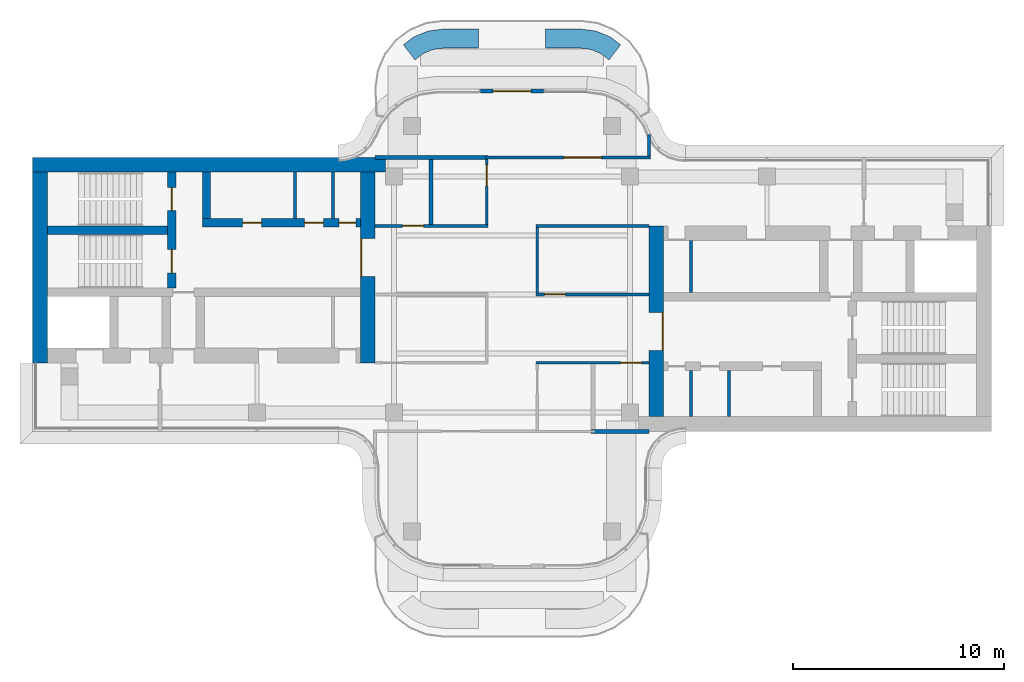
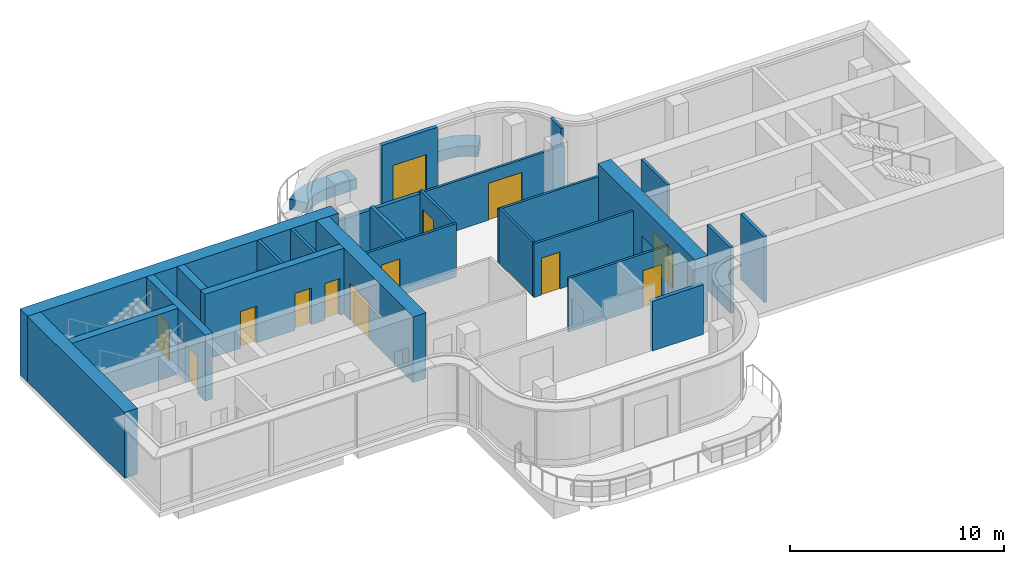
# One storey, part 7 of 9: 27 walls, 13 doors, 13 openings.
"""IFC4 building model written with IfcOpenShell, lengths in metres."""

from ifc_helpers import new_model, si_unit, direction, frame, frame_2d, origin, place, context, subcontext, project, spatial, polyline, rectangle, outline, extrude, source, transform, mapped, material, layer, layer_set, type_object, element, fill, save


model = new_model("IFC4")

# Units and contexts
model_context = context("Model", 3, precision=1e-05, world=origin(), true_north=direction((0.0, 1.0)))
body_context = subcontext(model_context, "Body", "Model", "MODEL_VIEW")
ifc_project = project(units=[si_unit("LENGTHUNIT", "METRE"), si_unit("AREAUNIT", "SQUARE_METRE"), si_unit("VOLUMEUNIT", "CUBIC_METRE"), si_unit("PLANEANGLEUNIT", "RADIAN"), si_unit("MASSUNIT", "GRAM", prefix="KILO")], contexts=[model_context])

# Site, building, storey
site_placement = place(None, origin())
site = spatial("IfcSite", under=ifc_project, at=site_placement, CompositionType="ELEMENT")
building_placement = place(site_placement, origin())
building = spatial("IfcBuilding", under=site, at=building_placement, Name="Trellis Farm Tower", CompositionType="ELEMENT")
storey_placement = place(building_placement, frame((0.0, 0.0, 354.10009765625)))
storey = spatial("IfcBuildingStorey", under=building, at=storey_placement, Name="L80", CompositionType="ELEMENT", Elevation=354.10009765625)

# Walls
ifc_material_1 = material(Name="Lightweight blockwork, plastered", Category="masonry")
ifc_layer_1 = layer(ifc_material_1, 0.199951171875)
ifc_layer_set_1 = layer_set([ifc_layer_1], Name="BLOCK WALL 200 EI 120")
wall_type_1 = type_object("IfcWallType", Name="BLOCK WALL 200 EI 120", PredefinedType="PARTITIONING", material=ifc_layer_set_1)
wall_1_placement = place(storey_placement, frame((3.75, -6.5, 0.0), z_axis=(0.0, 0.0, 1.0), x_axis=(1.0, 0.0, 0.0)))
element("IfcWall", 1, at=wall_1_placement, inside=storey, type_object=wall_type_1, Name="Partition PW3", PredefinedType="PARTITIONING", context=body_context, shape_type="SweptSolid", body=[
    extrude(rectangle(XDim=2.75, YDim=0.199951171875, at=frame_2d((1.375, 0.0))), origin(), (0.0, 0.0, 1.0), 2.829833984375),
])
ifc_material_2 = material(Name="Plasterboard on steel studs, mineral wool", Category="steel")
ifc_layer_2 = layer(ifc_material_2, 0.125)
ifc_layer_set_2 = layer_set([ifc_layer_2], Name="PARTITION 125 STUD EI 60")
wall_type_2 = type_object("IfcWallType", Name="PARTITION 125 STUD EI 60", PredefinedType="PARTITIONING", material=ifc_layer_set_2)
wall_2_placement = place(storey_placement, frame((6.5, 6.5625, 0.0), z_axis=(0.0, 0.0, 1.0), x_axis=(0.0, 1.0, 0.0)))
element("IfcWall", 2, at=wall_2_placement, inside=storey, type_object=wall_type_2, Name="Partition PW1", PredefinedType="PARTITIONING", context=body_context, shape_type="SweptSolid", body=[
    extrude(rectangle(XDim=1.016845703125, YDim=0.125, at=frame_2d((0.50830078125, 0.0))), origin(), (0.0, 0.0, 1.0), 3.75),
])
ifc_material_3 = material(Name="Sandstone faced masonry planter", Category="masonry")
ifc_layer_3 = layer(ifc_material_3, 0.89990234375)
ifc_layer_set_3 = layer_set([ifc_layer_3], Name="TERRACE PLANTER BED 900")
wall_type_3 = type_object("IfcWallType", Name="TERRACE PLANTER BED 900", PredefinedType="USERDEFINED", material=ifc_layer_set_3)
placement = place(storey_placement, origin())
element("IfcWall", 3, at=placement, inside=storey, type_object=wall_type_3, Name="PLANTER bed", ObjectType="PLANTER", PredefinedType="USERDEFINED", context=body_context, shape_type="SweptSolid", body=[
    extrude(outline(polyline([(-3.98681640625, 12.49951171875), (-3.223876953125, 12.60009765625), (-1.60009765625, 12.60009765625), (-1.60009765625, 11.699951171875), (-3.164794921875, 11.699951171875), (-3.751708984375, 11.622802734375), (-4.219482421875, 11.428955078125), (-4.6044921875, 11.133544921875), (-5.152587890625, 11.847412109375), (-4.67333984375, 12.215087890625), (-3.98681640625, 12.49951171875)])), origin(), (0.0, 0.0, 1.0), 0.599853515625),
])
element("IfcWall", 4, at=placement, inside=storey, type_object=wall_type_3, Name="PLANTER bed", ObjectType="PLANTER", PredefinedType="USERDEFINED", context=body_context, shape_type="SweptSolid", body=[
    extrude(outline(polyline([(3.98681640625, 12.49951171875), (4.67333984375, 12.215087890625), (5.152587890625, 11.847412109375), (4.6044921875, 11.133544921875), (4.219482421875, 11.428955078125), (3.751708984375, 11.622802734375), (3.164794921875, 11.699951171875), (1.60009765625, 11.699951171875), (1.60009765625, 12.60009765625), (3.223876953125, 12.60009765625), (3.98681640625, 12.49951171875)])), origin(), (0.0, 0.0, 1.0), 0.599853515625),
])

# Wall, opening, door
ifc_material_4 = material(Name="Concrete C50/60", Category="concrete")
ifc_layer_4 = layer(ifc_material_4, 0.699951171875)
ifc_layer_set_4 = layer_set([ifc_layer_4], Name="CORE OUTER WALL 700 CONCRETE C50/60")
wall_type_4 = type_object("IfcWallType", Name="CORE OUTER WALL 700 CONCRETE C50/60", PredefinedType="SHEAR", material=ifc_layer_set_4)
shared_shape_1 = source(origin(), body_context, "Body", "SweptSolid", [
    extrude(rectangle(XDim=9.050048828125, YDim=0.699951171875, at=frame_2d((4.52490234375, 0.0))), origin(), (0.0, 0.0, 1.0), 3.75),
])
wall_5_placement = place(storey_placement, frame((6.85009765625, -5.800048828125, 0.0), z_axis=(0.0, 0.0, 1.0), x_axis=(0.0, 1.0, 0.0)))
wall_5 = element("IfcWall", 5, at=wall_5_placement, inside=storey, type_object=wall_type_4, Name="Core wall", PredefinedType="SHEAR", context=body_context, shape_type="MappedRepresentation", body=[
    mapped(shared_shape_1, transform((0.0, 0.0, 0.0))),
])
shared_shape_2 = source(origin(), body_context, "Body", "SweptSolid", [
    extrude(rectangle(XDim=1.800048828125, YDim=2.10009765625, at=frame_2d((0.89990234375, 1.050048828125))), frame((0.0, 0.360107421875, 0.0), z_axis=(0.0, -1.0, 0.0), x_axis=(1.0, 0.0, 0.0)), (0.0, 0.0, 1.0), 0.72021484375),
])
opening_1_placement = place(wall_5_placement, frame((3.14990234375, 0.0, 0.0)))
opening_1 = element("IfcOpeningElement", 6, at=opening_1_placement, cuts=wall_5, Name="Opening DC1", PredefinedType="OPENING", context=body_context, shape_type="MappedRepresentation", body=[
    mapped(shared_shape_2, transform((0.0, 0.0, 0.0))),
])
ifc_material_5 = material(Name="Steel", Category="steel")
door_type_1 = type_object("IfcDoorType", Name="CORE FIRE DOOR DOUBLE 1800 X 2100", OperationType="DOUBLE_DOOR_SINGLE_SWING", PredefinedType="DOOR", material=ifc_material_5)
shared_shape_3 = source(origin(), body_context, "Body", "SweptSolid", [
    extrude(rectangle(XDim=1.800048828125, YDim=2.10009765625, at=frame_2d((0.89990234375, 1.050048828125))), frame((0.0, -0.27490234375, 0.0), z_axis=(0.0, -1.0, 0.0), x_axis=(1.0, 0.0, 0.0)), (0.0, 0.0, 1.0), 0.050048828125),
])
door_1_placement = place(opening_1_placement, origin())
door_1 = element("IfcDoor", 7, at=door_1_placement, inside=storey, type_object=door_type_1, Name="Core door", OperationType="DOUBLE_DOOR_SINGLE_SWING", OverallHeight=2.10009765625, OverallWidth=1.800048828125, PredefinedType="DOOR", context=body_context, shape_type="MappedRepresentation", body=[
    mapped(shared_shape_3, transform((0.0, 0.0, 0.0))),
])
fill(opening_1, door_1)

wall_6_placement = place(storey_placement, frame((-6.85009765625, 5.800048828125, 0.0), z_axis=(0.0, 0.0, 1.0), x_axis=(0.0, -1.0, 0.0)))
wall_6 = element("IfcWall", 8, at=wall_6_placement, inside=storey, type_object=wall_type_4, Name="Core wall", PredefinedType="SHEAR", context=body_context, shape_type="MappedRepresentation", body=[
    mapped(shared_shape_1, transform((0.0, 0.0, 0.0))),
])
opening_2_placement = place(wall_6_placement, frame((3.14990234375, 0.0, 0.0)))
opening_2 = element("IfcOpeningElement", 9, at=opening_2_placement, cuts=wall_6, Name="Opening DC87", PredefinedType="OPENING", context=body_context, shape_type="MappedRepresentation", body=[
    mapped(shared_shape_2, transform((0.0, 0.0, 0.0))),
])
door_2_placement = place(opening_2_placement, origin())
door_2 = element("IfcDoor", 10, at=door_2_placement, inside=storey, type_object=door_type_1, Name="Core door", OperationType="DOUBLE_DOOR_SINGLE_SWING", OverallHeight=2.10009765625, OverallWidth=1.800048828125, PredefinedType="DOOR", context=body_context, shape_type="MappedRepresentation", body=[
    mapped(shared_shape_3, transform((0.0, 0.0, 0.0))),
])
fill(opening_2, door_2)

# Walls
wall_7_placement = place(storey_placement, frame((-22.39990234375, 5.800048828125, 0.0), z_axis=(0.0, 0.0, 1.0), x_axis=(0.0, -1.0, 0.0)))
element("IfcWall", 11, at=wall_7_placement, inside=storey, type_object=wall_type_4, Name="Core wall", PredefinedType="SHEAR", context=body_context, shape_type="MappedRepresentation", body=[
    mapped(shared_shape_1, transform((0.0, 0.0, 0.0))),
])
ifc_material_6 = material(Name="Masonry blockwork", Category="masonry")
ifc_layer_5 = layer(ifc_material_6, 0.14990234375)
ifc_layer_set_5 = layer_set([ifc_layer_5], Name="CORE PARTITION 150 BLOCKWORK")
wall_type_5 = type_object("IfcWallType", Name="CORE PARTITION 150 BLOCKWORK", PredefinedType="PARTITIONING", material=ifc_layer_set_5)
shared_shape_4 = source(origin(), body_context, "Body", "SweptSolid", [
    extrude(rectangle(XDim=2.449951171875, YDim=0.14990234375, at=frame_2d((1.22509765625, 0.0))), origin(), (0.0, 0.0, 1.0), 3.75),
])
wall_8_placement = place(storey_placement, frame((8.5, 0.10009765625, 0.0), z_axis=(0.0, 0.0, 1.0), x_axis=(0.0, 1.0, 0.0)))
element("IfcWall", 12, at=wall_8_placement, inside=storey, type_object=wall_type_5, Name="Core room partition", PredefinedType="PARTITIONING", context=body_context, shape_type="MappedRepresentation", body=[
    mapped(shared_shape_4, transform((0.0, 0.0, 0.0))),
])

# Wall, openings, doors
ifc_layer_6 = layer(ifc_material_4, 0.39990234375)
ifc_layer_set_6 = layer_set([ifc_layer_6], Name="CORE INNER WALL 400 CONCRETE C50/60")
wall_type_6 = type_object("IfcWallType", Name="CORE INNER WALL 400 CONCRETE C50/60", PredefinedType="SHEAR", material=ifc_layer_set_6)
shared_shape_5 = source(origin(), body_context, "Body", "SweptSolid", [
    extrude(rectangle(XDim=7.5, YDim=0.39990234375, at=frame_2d((3.75, 0.0))), origin(), (0.0, 0.0, 1.0), 3.75),
])
wall_9_placement = place(storey_placement, frame((-7.199951171875, 3.39990234375, 0.0), z_axis=(0.0, 0.0, 1.0), x_axis=(-1.0, 0.0, 0.0)))
wall_9 = element("IfcWall", 13, at=wall_9_placement, inside=storey, type_object=wall_type_6, Name="Core wall", PredefinedType="SHEAR", context=body_context, shape_type="MappedRepresentation", body=[
    mapped(shared_shape_5, transform((0.0, 0.0, 0.0))),
])
shared_shape_6 = source(origin(), body_context, "Body", "SweptSolid", [
    extrude(rectangle(XDim=0.800048828125, YDim=2.10009765625, at=frame_2d((0.39990234375, 1.050048828125))), frame((0.0, 0.2099609375, 0.0), z_axis=(0.0, -1.0, 0.0), x_axis=(1.0, 0.0, 0.0)), (0.0, 0.0, 1.0), 0.419921875),
])
opening_3_placement = place(wall_9_placement, frame((0.21240234375, 0.0, 0.0)))
opening_3 = element("IfcOpeningElement", 14, at=opening_3_placement, cuts=wall_9, Name="Opening DC137", PredefinedType="OPENING", context=body_context, shape_type="MappedRepresentation", body=[
    mapped(shared_shape_6, transform((0.0, 0.0, 0.0))),
])
shared_shape_7 = source(origin(), body_context, "Body", "SweptSolid", [
    extrude(rectangle(XDim=0.89990234375, YDim=2.10009765625, at=frame_2d((0.449951171875, 1.050048828125))), frame((0.0, 0.2099609375, 0.0), z_axis=(0.0, -1.0, 0.0), x_axis=(1.0, 0.0, 0.0)), (0.0, 0.0, 1.0), 0.419921875),
])
opening_4_placement = place(wall_9_placement, frame((1.75, 0.0, 0.0)))
opening_4 = element("IfcOpeningElement", 15, at=opening_4_placement, cuts=wall_9, Name="Opening DC146", PredefinedType="OPENING", context=body_context, shape_type="MappedRepresentation", body=[
    mapped(shared_shape_7, transform((0.0, 0.0, 0.0))),
])
opening_5_placement = place(wall_9_placement, frame((4.6875, 0.0, 0.0)))
opening_5 = element("IfcOpeningElement", 16, at=opening_5_placement, cuts=wall_9, Name="Opening DC151", PredefinedType="OPENING", context=body_context, shape_type="MappedRepresentation", body=[
    mapped(shared_shape_7, transform((0.0, 0.0, 0.0))),
])
door_type_2 = type_object("IfcDoorType", Name="CORE FIRE DOOR 900 X 2100", OperationType="NOTDEFINED", PredefinedType="DOOR", material=ifc_material_5)
shared_shape_8 = source(origin(), body_context, "Body", "SweptSolid", [
    extrude(rectangle(XDim=0.89990234375, YDim=2.10009765625, at=frame_2d((0.449951171875, 1.050048828125))), frame((0.0, 0.02490234375, 0.0), z_axis=(0.0, -1.0, 0.0), x_axis=(1.0, 0.0, 0.0)), (0.0, 0.0, 1.0), 0.050048828125),
])
door_3_placement = place(opening_4_placement, origin())
door_3 = element("IfcDoor", 17, at=door_3_placement, inside=storey, type_object=door_type_2, Name="Core door", OperationType="SINGLE_SWING_RIGHT", OverallHeight=2.10009765625, OverallWidth=0.89990234375, PredefinedType="DOOR", context=body_context, shape_type="MappedRepresentation", body=[
    mapped(shared_shape_8, transform((0.0, 0.0, 0.0))),
])
fill(opening_4, door_3)
door_4_placement = place(opening_5_placement, origin())
door_4 = element("IfcDoor", 18, at=door_4_placement, inside=storey, type_object=door_type_2, Name="Core door", OperationType="SINGLE_SWING_LEFT", OverallHeight=2.10009765625, OverallWidth=0.89990234375, PredefinedType="DOOR", context=body_context, shape_type="MappedRepresentation", body=[
    mapped(shared_shape_8, transform((0.0, 0.0, 0.0))),
])
fill(opening_5, door_4)
door_type_3 = type_object("IfcDoorType", Name="CORE FIRE DOOR 800 X 2100", OperationType="NOTDEFINED", PredefinedType="DOOR", material=ifc_material_5)
shared_shape_9 = source(origin(), body_context, "Body", "SweptSolid", [
    extrude(rectangle(XDim=0.800048828125, YDim=2.10009765625, at=frame_2d((0.39990234375, 1.050048828125))), frame((0.0, 0.02490234375, 0.0), z_axis=(0.0, -1.0, 0.0), x_axis=(1.0, 0.0, 0.0)), (0.0, 0.0, 1.0), 0.050048828125),
])
door_5_placement = place(opening_3_placement, origin())
door_5 = element("IfcDoor", 19, at=door_5_placement, inside=storey, type_object=door_type_3, Name="Core door", OperationType="SINGLE_SWING_LEFT", OverallHeight=2.10009765625, OverallWidth=0.800048828125, PredefinedType="DOOR", context=body_context, shape_type="MappedRepresentation", body=[
    mapped(shared_shape_9, transform((0.0, 0.0, 0.0))),
])
fill(opening_3, door_5)

shared_shape_10 = source(origin(), body_context, "Body", "SweptSolid", [
    extrude(rectangle(XDim=5.5, YDim=0.39990234375, at=frame_2d((2.75, 0.0))), origin(), (0.0, 0.0, 1.0), 3.75),
])
wall_10_placement = place(storey_placement, frame((-16.14990234375, 5.800048828125, 0.0), z_axis=(0.0, 0.0, 1.0), x_axis=(0.0, -1.0, 0.0)))
wall_10 = element("IfcWall", 20, at=wall_10_placement, inside=storey, type_object=wall_type_6, Name="Core wall", PredefinedType="SHEAR", context=body_context, shape_type="MappedRepresentation", body=[
    mapped(shared_shape_10, transform((0.0, 0.0, 0.0))),
])
shared_shape_11 = source(origin(), body_context, "Body", "SweptSolid", [
    extrude(rectangle(XDim=1.10009765625, YDim=2.10009765625, at=frame_2d((0.550048828125, 1.050048828125))), frame((0.0, 0.2099609375, 0.0), z_axis=(0.0, -1.0, 0.0), x_axis=(1.0, 0.0, 0.0)), (0.0, 0.0, 1.0), 0.419921875),
])
opening_6_placement = place(wall_10_placement, frame((0.72509765625, 0.0, 0.0)))
opening_6 = element("IfcOpeningElement", 21, at=opening_6_placement, cuts=wall_10, Name="Opening DC88", PredefinedType="OPENING", context=body_context, shape_type="MappedRepresentation", body=[
    mapped(shared_shape_11, transform((0.0, 0.0, 0.0))),
])
opening_7_placement = place(wall_10_placement, frame((3.675048828125, 0.0, 0.0)))
opening_7 = element("IfcOpeningElement", 22, at=opening_7_placement, cuts=wall_10, Name="Opening DC89", PredefinedType="OPENING", context=body_context, shape_type="MappedRepresentation", body=[
    mapped(shared_shape_11, transform((0.0, 0.0, 0.0))),
])
door_type_4 = type_object("IfcDoorType", Name="CORE FIRE DOOR 1100 X 2100", OperationType="NOTDEFINED", PredefinedType="DOOR", material=ifc_material_5)
shared_shape_12 = source(origin(), body_context, "Body", "SweptSolid", [
    extrude(rectangle(XDim=1.10009765625, YDim=2.10009765625, at=frame_2d((0.550048828125, 1.050048828125))), frame((0.0, 0.02490234375, 0.0), z_axis=(0.0, -1.0, 0.0), x_axis=(1.0, 0.0, 0.0)), (0.0, 0.0, 1.0), 0.050048828125),
])
door_6_placement = place(opening_6_placement, origin())
door_6 = element("IfcDoor", 23, at=door_6_placement, inside=storey, type_object=door_type_4, Name="Core door", OperationType="SINGLE_SWING_RIGHT", OverallHeight=2.10009765625, OverallWidth=1.10009765625, PredefinedType="DOOR", context=body_context, shape_type="MappedRepresentation", body=[
    mapped(shared_shape_12, transform((0.0, 0.0, 0.0))),
])
fill(opening_6, door_6)
door_7_placement = place(opening_7_placement, origin())
door_7 = element("IfcDoor", 24, at=door_7_placement, inside=storey, type_object=door_type_4, Name="Core door", OperationType="SINGLE_SWING_LEFT", OverallHeight=2.10009765625, OverallWidth=1.10009765625, PredefinedType="DOOR", context=body_context, shape_type="MappedRepresentation", body=[
    mapped(shared_shape_12, transform((0.0, 0.0, 0.0))),
])
fill(opening_7, door_7)

# Walls
shared_shape_13 = source(origin(), body_context, "Body", "SweptSolid", [
    extrude(rectangle(XDim=5.699951171875, YDim=0.39990234375, at=frame_2d((2.85009765625, 0.0))), origin(), (0.0, 0.0, 1.0), 3.75),
])
wall_11_placement = place(storey_placement, frame((-16.35009765625, 3.050048828125, 0.0), z_axis=(0.0, 0.0, 1.0), x_axis=(-1.0, 0.0, 0.0)))
element("IfcWall", 25, at=wall_11_placement, inside=storey, type_object=wall_type_6, Name="Core wall", PredefinedType="SHEAR", context=body_context, shape_type="MappedRepresentation", body=[
    mapped(shared_shape_13, transform((0.0, 0.0, 0.0))),
])
shared_shape_14 = source(origin(), body_context, "Body", "SweptSolid", [
    extrude(rectangle(XDim=2.199951171875, YDim=0.39990234375, at=frame_2d((1.10009765625, 0.0))), origin(), (0.0, 0.0, 1.0), 3.75),
])
wall_12_placement = place(storey_placement, frame((-14.5, 5.800048828125, 0.0), z_axis=(0.0, 0.0, 1.0), x_axis=(0.0, -1.0, 0.0)))
element("IfcWall", 26, at=wall_12_placement, inside=storey, type_object=wall_type_6, Name="Core wall", PredefinedType="SHEAR", context=body_context, shape_type="MappedRepresentation", body=[
    mapped(shared_shape_14, transform((0.0, 0.0, 0.0))),
])
shared_shape_15 = source(origin(), body_context, "Body", "SweptSolid", [
    extrude(rectangle(XDim=2.199951171875, YDim=0.14990234375, at=frame_2d((1.10009765625, 0.0))), origin(), (0.0, 0.0, 1.0), 3.75),
])
for number, where, z_axis, x_axis, name in (
    (27, (8.5, -5.800048828125, 0.0), (0.0, 0.0, 1.0), (0.0, 1.0, 0.0), "Core room partition"),
    (28, (10.300048828125, -5.800048828125, 0.0), (0.0, 0.0, 1.0), (0.0, 1.0, 0.0), "Core room partition"),
    (29, (-8.5, 5.800048828125, 0.0), (0.0, 0.0, 1.0), (0.0, -1.0, 0.0), "Core room partition"),
    (30, (-10.300048828125, 5.800048828125, 0.0), (0.0, 0.0, 1.0), (0.0, -1.0, 0.0), "Core room partition"),
):
    element("IfcWall", number, at=place(storey_placement, frame(where, z_axis=z_axis, x_axis=x_axis)), inside=storey, type_object=wall_type_5, Name=name, PredefinedType="PARTITIONING", context=body_context, shape_type="MappedRepresentation", body=[
        mapped(shared_shape_15, transform((0.0, 0.0, 0.0))),
    ])
shared_shape_16 = source(origin(), body_context, "Body", "SweptSolid", [
    extrude(rectangle(XDim=16.75, YDim=0.699951171875, at=frame_2d((8.375, 0.0))), origin(), (0.0, 0.0, 1.0), 3.75),
])
wall_13_placement = place(storey_placement, frame((-6.0, 6.14990234375, 0.0), z_axis=(0.0, 0.0, 1.0), x_axis=(-1.0, 0.0, 0.0)))
element("IfcWall", 31, at=wall_13_placement, inside=storey, type_object=wall_type_4, Name="Core wall", PredefinedType="SHEAR", context=body_context, shape_type="MappedRepresentation", body=[
    mapped(shared_shape_16, transform((0.0, 0.0, 0.0))),
])

# Wall, opening, door
ifc_material_7 = material(Name="Sandstone faced insulated wall", Category="masonry")
ifc_layer_7 = layer(ifc_material_7, 0.199951171875)
ifc_layer_set_7 = layer_set([ifc_layer_7], Name="EXTERNAL INFILL WALL 200")
wall_type_7 = type_object("IfcWallType", Name="EXTERNAL INFILL WALL 200", PredefinedType="SOLIDWALL", material=ifc_layer_set_7)
shared_shape_17 = source(origin(), body_context, "Body", "SweptSolid", [
    extrude(rectangle(XDim=3.0, YDim=0.199951171875, at=frame_2d((1.5, 0.0))), origin(), (0.0, 0.0, 1.0), 3.75),
])
wall_14_placement = place(storey_placement, frame((1.5, 9.64990234375, 0.0), z_axis=(0.0, 0.0, 1.0), x_axis=(-1.0, 0.0, 0.0)))
wall_14 = element("IfcWall", 32, at=wall_14_placement, inside=storey, type_object=wall_type_7, Name="EW1 02", PredefinedType="SOLIDWALL", context=body_context, shape_type="MappedRepresentation", body=[
    mapped(shared_shape_17, transform((0.0, 0.0, 0.0))),
])
shared_shape_18 = source(origin(), body_context, "Body", "SweptSolid", [
    extrude(rectangle(XDim=1.800048828125, YDim=2.39990234375, at=frame_2d((0.89990234375, 1.199951171875))), frame((0.0, 0.110107421875, 0.0), z_axis=(0.0, -1.0, 0.0), x_axis=(1.0, 0.0, 0.0)), (0.0, 0.0, 1.0), 0.22021484375),
])
opening_8_placement = place(wall_14_placement, frame((0.60009765625, 0.0, 0.0)))
opening_8 = element("IfcOpeningElement", 33, at=opening_8_placement, cuts=wall_14, Name="Opening ED1", PredefinedType="OPENING", context=body_context, shape_type="MappedRepresentation", body=[
    mapped(shared_shape_18, transform((0.0, 0.0, 0.0))),
])
ifc_material_8 = material(Name="Aluminium framed glazed door", Category="aluminium")
door_type_5 = type_object("IfcDoorType", Name="BALCONY DOOR 1800x2400", OperationType="DOUBLE_DOOR_SINGLE_SWING", PredefinedType="DOOR", material=ifc_material_8)
shared_shape_19 = source(origin(), body_context, "Body", "SweptSolid", [
    extrude(rectangle(XDim=1.800048828125, YDim=2.39990234375, at=frame_2d((0.89990234375, 1.199951171875))), frame((0.0, 0.02490234375, 0.0), z_axis=(0.0, -1.0, 0.0), x_axis=(1.0, 0.0, 0.0)), (0.0, 0.0, 1.0), 0.050048828125),
])
door_8_placement = place(opening_8_placement, origin())
door_8 = element("IfcDoor", 34, at=door_8_placement, inside=storey, type_object=door_type_5, Name="Balcony door", OperationType="DOUBLE_DOOR_SINGLE_SWING", OverallHeight=2.39990234375, OverallWidth=1.800048828125, PredefinedType="DOOR", context=body_context, shape_type="MappedRepresentation", body=[
    mapped(shared_shape_19, transform((0.0, 0.0, 0.0))),
])
fill(opening_8, door_8)

# Wall
shared_shape_20 = source(origin(), body_context, "Body", "SweptSolid", [
    extrude(rectangle(XDim=3.125, YDim=0.125, at=frame_2d((1.5625, 0.0))), origin(), (0.0, 0.0, 1.0), 3.11767578125),
])
wall_15_placement = place(storey_placement, frame((1.199951171875, 3.1875, 0.0), z_axis=(0.0, 0.0, 1.0), x_axis=(0.0, -1.0, 0.0)))
element("IfcWall", 35, at=wall_15_placement, inside=storey, type_object=wall_type_2, Name="Partition PW1", PredefinedType="PARTITIONING", context=body_context, shape_type="MappedRepresentation", body=[
    mapped(shared_shape_20, transform((0.0, 0.0, 0.0))),
])

# Wall, opening, door
shared_shape_21 = source(origin(), body_context, "Body", "SweptSolid", [
    extrude(rectangle(XDim=5.362548828125, YDim=0.125, at=frame_2d((2.68115234375, 0.0))), origin(), (0.0, 0.0, 1.0), 3.04638671875),
])
wall_16_placement = place(storey_placement, frame((6.5, -3.25, 0.0), z_axis=(0.0, 0.0, 1.0), x_axis=(-1.0, 0.0, 0.0)))
wall_16 = element("IfcWall", 36, at=wall_16_placement, inside=storey, type_object=wall_type_2, Name="Partition PW1", PredefinedType="PARTITIONING", context=body_context, shape_type="MappedRepresentation", body=[
    mapped(shared_shape_21, transform((0.0, 0.0, 0.0))),
])
shared_shape_22 = source(origin(), body_context, "Body", "SweptSolid", [
    extrude(rectangle(XDim=1.0, YDim=2.10009765625, at=frame_2d((0.5, 1.050048828125))), frame((0.0, 0.072509765625, 0.0), z_axis=(0.0, -1.0, 0.0), x_axis=(1.0, 0.0, 0.0)), (0.0, 0.0, 1.0), 0.14501953125),
])
opening_9_placement = place(wall_16_placement, frame((0.35009765625, 0.0, 0.0)))
opening_9 = element("IfcOpeningElement", 37, at=opening_9_placement, cuts=wall_16, Name="Opening D102", PredefinedType="OPENING", context=body_context, shape_type="MappedRepresentation", body=[
    mapped(shared_shape_22, transform((0.0, 0.0, 0.0))),
])
ifc_material_9 = material(Name="Fire-rated timber door leaf in a hollow metal frame", Category="wood")
door_type_6 = type_object("IfcDoorType", Name="DOOR 1000x2100 FD30S", OperationType="NOTDEFINED", PredefinedType="DOOR", material=ifc_material_9)
shared_shape_23 = source(origin(), body_context, "Body", "SweptSolid", [
    extrude(rectangle(XDim=1.0, YDim=2.10009765625, at=frame_2d((0.5, 1.050048828125))), frame((0.0, 0.02490234375, 0.0), z_axis=(0.0, -1.0, 0.0), x_axis=(1.0, 0.0, 0.0)), (0.0, 0.0, 1.0), 0.050048828125),
])
door_9_placement = place(opening_9_placement, origin())
door_9 = element("IfcDoor", 38, at=door_9_placement, inside=storey, type_object=door_type_6, Name="Door D102", OperationType="SINGLE_SWING_LEFT", OverallHeight=2.10009765625, OverallWidth=1.0, PredefinedType="DOOR", context=body_context, shape_type="MappedRepresentation", body=[
    mapped(shared_shape_23, transform((0.0, 0.0, 0.0))),
])
fill(opening_9, door_9)

wall_17_placement = place(storey_placement, frame((6.5, 0.0, 0.0), z_axis=(0.0, 0.0, 1.0), x_axis=(-1.0, 0.0, 0.0)))
wall_17 = element("IfcWall", 39, at=wall_17_placement, inside=storey, type_object=wall_type_2, Name="Partition PW1", PredefinedType="PARTITIONING", context=body_context, shape_type="MappedRepresentation", body=[
    mapped(shared_shape_21, transform((0.0, 0.0, 0.0))),
])
opening_10_placement = place(wall_17_placement, frame((3.949951171875, 0.0, 0.0)))
opening_10 = element("IfcOpeningElement", 40, at=opening_10_placement, cuts=wall_17, Name="Opening D103", PredefinedType="OPENING", context=body_context, shape_type="MappedRepresentation", body=[
    mapped(shared_shape_22, transform((0.0, 0.0, 0.0))),
])
door_10_placement = place(opening_10_placement, origin())
door_10 = element("IfcDoor", 41, at=door_10_placement, inside=storey, type_object=door_type_6, Name="Door D103", OperationType="SINGLE_SWING_RIGHT", OverallHeight=2.10009765625, OverallWidth=1.0, PredefinedType="DOOR", context=body_context, shape_type="MappedRepresentation", body=[
    mapped(shared_shape_23, transform((0.0, 0.0, 0.0))),
])
fill(opening_10, door_10)

wall_18_placement = place(storey_placement, frame((-6.5, 3.25, 0.0), z_axis=(0.0, 0.0, 1.0), x_axis=(1.0, 0.0, 0.0)))
wall_18 = element("IfcWall", 42, at=wall_18_placement, inside=storey, type_object=wall_type_2, Name="Partition PW1", PredefinedType="PARTITIONING", context=body_context, shape_type="MappedRepresentation", body=[
    mapped(shared_shape_21, transform((0.0, 0.0, 0.0))),
])
opening_11_placement = place(wall_18_placement, frame((1.300048828125, 0.0, 0.0)))
opening_11 = element("IfcOpeningElement", 43, at=opening_11_placement, cuts=wall_18, Name="Opening D301", PredefinedType="OPENING", context=body_context, shape_type="MappedRepresentation", body=[
    mapped(shared_shape_22, transform((0.0, 0.0, 0.0))),
])
door_type_7 = type_object("IfcDoorType", Name="DOOR 1000x2100 FD60", OperationType="NOTDEFINED", PredefinedType="DOOR", material=ifc_material_9)
door_11_placement = place(opening_11_placement, origin())
door_11 = element("IfcDoor", 44, at=door_11_placement, inside=storey, type_object=door_type_7, Name="Door D301", OperationType="SINGLE_SWING_RIGHT", OverallHeight=2.10009765625, OverallWidth=1.0, PredefinedType="DOOR", context=body_context, shape_type="MappedRepresentation", body=[
    mapped(shared_shape_23, transform((0.0, 0.0, 0.0))),
])
fill(opening_11, door_11)

# Wall
wall_19_placement = place(storey_placement, frame((1.137451171875, 3.25, 0.0), z_axis=(0.0, 0.0, 1.0), x_axis=(1.0, 0.0, 0.0)))
element("IfcWall", 45, at=wall_19_placement, inside=storey, type_object=wall_type_2, Name="Partition PW1", PredefinedType="PARTITIONING", context=body_context, shape_type="MappedRepresentation", body=[
    mapped(shared_shape_21, transform((0.0, 0.0, 0.0))),
])

# Wall, opening, door
shared_shape_24 = source(origin(), body_context, "Body", "SweptSolid", [
    extrude(rectangle(XDim=7.824951171875, YDim=0.125, at=frame_2d((3.91259765625, 0.0))), origin(), (0.0, 0.0, 1.0), 2.829833984375),
])
wall_20_placement = place(storey_placement, frame((-1.262451171875, 6.5, 0.0), z_axis=(0.0, 0.0, 1.0), x_axis=(1.0, 0.0, 0.0)))
wall_20 = element("IfcWall", 46, at=wall_20_placement, inside=storey, type_object=wall_type_2, Name="Partition PW1", PredefinedType="PARTITIONING", context=body_context, shape_type="MappedRepresentation", body=[
    mapped(shared_shape_24, transform((0.0, 0.0, 0.0))),
])
shared_shape_25 = source(origin(), body_context, "Body", "SweptSolid", [
    extrude(rectangle(XDim=1.800048828125, YDim=2.10009765625, at=frame_2d((0.89990234375, 1.050048828125))), frame((0.0, 0.072509765625, 0.0), z_axis=(0.0, -1.0, 0.0), x_axis=(1.0, 0.0, 0.0)), (0.0, 0.0, 1.0), 0.14501953125),
])
opening_12_placement = place(wall_20_placement, frame((3.71240234375, 0.0, 0.0)))
opening_12 = element("IfcOpeningElement", 47, at=opening_12_placement, cuts=wall_20, Name="Opening D202", PredefinedType="OPENING", context=body_context, shape_type="MappedRepresentation", body=[
    mapped(shared_shape_25, transform((0.0, 0.0, 0.0))),
])
door_type_8 = type_object("IfcDoorType", Name="DOOR PAIR 1800x2100 FD30S", OperationType="NOTDEFINED", PredefinedType="DOOR", material=ifc_material_9)
shared_shape_26 = source(origin(), body_context, "Body", "SweptSolid", [
    extrude(rectangle(XDim=1.800048828125, YDim=2.10009765625, at=frame_2d((0.89990234375, 1.050048828125))), frame((0.0, 0.02490234375, 0.0), z_axis=(0.0, -1.0, 0.0), x_axis=(1.0, 0.0, 0.0)), (0.0, 0.0, 1.0), 0.050048828125),
])
door_12_placement = place(opening_12_placement, origin())
door_12 = element("IfcDoor", 48, at=door_12_placement, inside=storey, type_object=door_type_8, Name="Door D202", OperationType="DOUBLE_DOOR_SINGLE_SWING", OverallHeight=2.10009765625, OverallWidth=1.800048828125, PredefinedType="DOOR", context=body_context, shape_type="MappedRepresentation", body=[
    mapped(shared_shape_26, transform((0.0, 0.0, 0.0))),
])
fill(opening_12, door_12)

shared_shape_27 = source(origin(), body_context, "Body", "SweptSolid", [
    extrude(rectangle(XDim=3.08740234375, YDim=0.125, at=frame_2d((1.543701171875, 0.0))), origin(), (0.0, 0.0, 1.0), 3.04638671875),
])
wall_21_placement = place(storey_placement, frame((-1.199951171875, 6.39990234375, 0.0), z_axis=(0.0, 0.0, 1.0), x_axis=(0.0, -1.0, 0.0)))
wall_21 = element("IfcWall", 49, at=wall_21_placement, inside=storey, type_object=wall_type_2, Name="Partition PW1", PredefinedType="PARTITIONING", context=body_context, shape_type="MappedRepresentation", body=[
    mapped(shared_shape_27, transform((0.0, 0.0, 0.0))),
])
opening_13_placement = place(wall_21_placement, frame((0.25, 0.0, 0.0)))
opening_13 = element("IfcOpeningElement", 50, at=opening_13_placement, cuts=wall_21, Name="Opening D302", PredefinedType="OPENING", context=body_context, shape_type="MappedRepresentation", body=[
    mapped(shared_shape_22, transform((0.0, 0.0, 0.0))),
])
door_13_placement = place(opening_13_placement, origin())
door_13 = element("IfcDoor", 51, at=door_13_placement, inside=storey, type_object=door_type_7, Name="Door D302", OperationType="SINGLE_SWING_LEFT", OverallHeight=2.10009765625, OverallWidth=1.0, PredefinedType="DOOR", context=body_context, shape_type="MappedRepresentation", body=[
    mapped(shared_shape_23, transform((0.0, 0.0, 0.0))),
])
fill(opening_13, door_13)

# Walls
shared_shape_28 = source(origin(), body_context, "Body", "SweptSolid", [
    extrude(rectangle(XDim=3.08740234375, YDim=0.199951171875, at=frame_2d((1.543701171875, 0.0))), origin(), (0.0, 0.0, 1.0), 3.04638671875),
])
wall_22_placement = place(storey_placement, frame((-3.85009765625, 3.3125, 0.0), z_axis=(0.0, 0.0, 1.0), x_axis=(0.0, 1.0, 0.0)))
element("IfcWall", 52, at=wall_22_placement, inside=storey, type_object=wall_type_1, Name="Partition PW3", PredefinedType="PARTITIONING", context=body_context, shape_type="MappedRepresentation", body=[
    mapped(shared_shape_28, transform((0.0, 0.0, 0.0))),
])
shared_shape_29 = source(origin(), body_context, "Body", "SweptSolid", [
    extrude(rectangle(XDim=5.362548828125, YDim=0.199951171875, at=frame_2d((2.68115234375, 0.0))), origin(), (0.0, 0.0, 1.0), 2.829833984375),
])
wall_23_placement = place(storey_placement, frame((-6.5, 6.5, 0.0), z_axis=(0.0, 0.0, 1.0), x_axis=(1.0, 0.0, 0.0)))
element("IfcWall", 53, at=wall_23_placement, inside=storey, type_object=wall_type_1, Name="Partition PW3", PredefinedType="PARTITIONING", context=body_context, shape_type="MappedRepresentation", body=[
    mapped(shared_shape_29, transform((0.0, 0.0, 0.0))),
])

save(model, "model.ifc")
